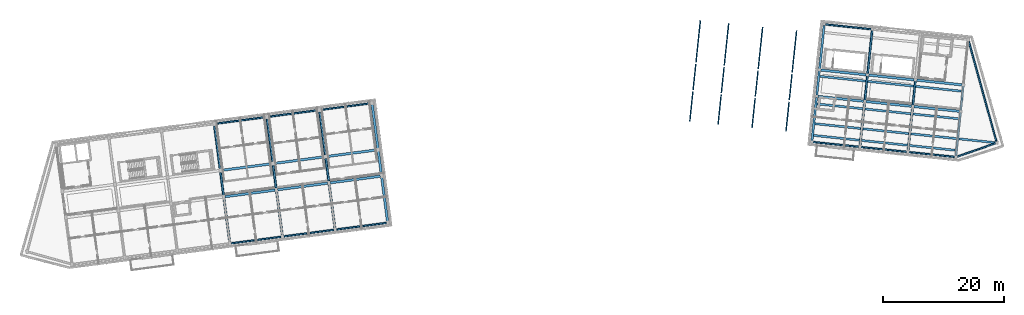
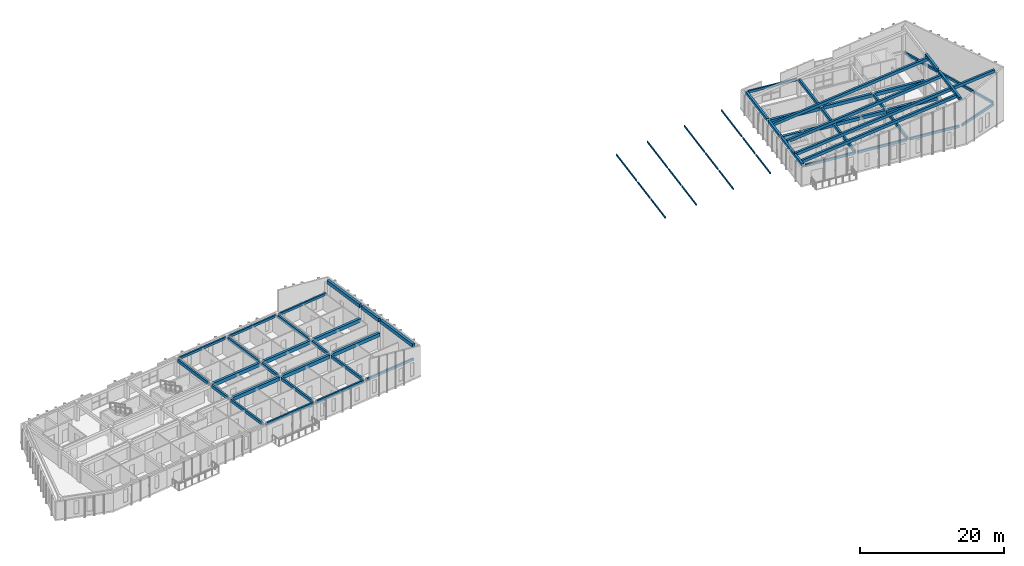
# One storey, part 6 of 31: 50 beams, 12 members.
"""IFC4 building model written with IfcOpenShell, lengths in metres."""

from ifc_helpers import new_model, si_unit, direction, frame, origin, origin_2d, place, context, subcontext, project, spatial, rectangle, hollow_rectangle, extrude, material, material_profile, profile_set, type_object, element, save


model = new_model("IFC4")

# Units and contexts
model_context = context("Model", 3, precision=1e-05, world=origin(), true_north=direction((0.0, 1.0)))
body_context = subcontext(model_context, "Body", "Model", "MODEL_VIEW")
ifc_project = project(units=[si_unit("LENGTHUNIT", "METRE"), si_unit("AREAUNIT", "SQUARE_METRE"), si_unit("VOLUMEUNIT", "CUBIC_METRE"), si_unit("PLANEANGLEUNIT", "RADIAN"), si_unit("MASSUNIT", "GRAM", prefix="KILO")], contexts=[model_context])

# Site, building, storey
site_placement = place(None, origin())
site = spatial("IfcSite", under=ifc_project, at=site_placement, CompositionType="ELEMENT")
building_placement = place(site_placement, origin())
building = spatial("IfcBuilding", under=site, at=building_placement, Name="Kestramere Prow Commons", CompositionType="ELEMENT")
storey_placement = place(building_placement, frame((0.0, 0.0, 37.64990234375)))
storey = spatial("IfcBuildingStorey", under=building, at=storey_placement, Name="L11", CompositionType="ELEMENT", Elevation=37.64990234375)

# Beams
ifc_material_1 = material(Name="Precast concrete C40/50", Category="concrete")
ifc_material_profile_1 = material_profile(ifc_material_1, rectangle(XDim=0.39990234375, YDim=0.60009765625, at=origin_2d()), Name="PC-BM 400x600")
ifc_profile_set_1 = profile_set([ifc_material_profile_1], Name="Precast concrete C40/50")
beam_type_1 = type_object("IfcBeamType", Name="BM-A1 PC-BM 400x600", PredefinedType="BEAM", material=ifc_profile_set_1)
for number, where, z_axis, x_axis, name in (
    (1, (36.5791015625, 83.20849609375, 2.7001953125), (0.991445635283, 0.13052031366, 0.0), (-0.13052031366, 0.991445635283, 0.0), "Block A L11 Longitudinal Beam 2-4"),
    (2, (45.3037109375, 84.357177734375, 2.7001953125), (0.991445635283, 0.13052031366, 0.0), (-0.13052031366, 0.991445635283, 0.0), "Block A L11 Longitudinal Beam 2-5"),
    (3, (54.028564453125, 85.505859375, 2.7001953125), (0.991445635283, 0.13052031366, 0.0), (-0.13052031366, 0.991445635283, 0.0), "Block A L11 Longitudinal Beam 2-6"),
    (4, (36.0048828125, 87.57080078125, 2.7001953125), (0.991441851318, 0.130549053825, 0.0), (-0.130549053825, 0.991441851318, 0.0), "Block A L11 Longitudinal Beam 3-4"),
    (5, (44.7294921875, 88.719482421875, 2.7001953125), (0.991445635283, 0.13052031366, 0.0), (-0.13052031366, 0.991445635283, 0.0), "Block A L11 Longitudinal Beam 3-5"),
    (6, (53.454345703125, 89.8681640625, 2.7001953125), (0.991445635283, 0.13052031366, 0.0), (-0.13052031366, 0.991445635283, 0.0), "Block A L11 Longitudinal Beam 3-6"),
):
    element("IfcBeam", number, at=place(storey_placement, frame(where, z_axis=z_axis, x_axis=x_axis)), inside=storey, type_object=beam_type_1, Name=name, PredefinedType="BEAM", context=body_context, shape_type="SweptSolid", body=[
        extrude(rectangle(XDim=0.39990234375, YDim=0.60009765625, at=origin_2d()), origin(), (0.0, 0.0, 1.0), 8.35009765625),
    ])
ifc_material_profile_2 = material_profile(ifc_material_1, rectangle(XDim=0.39990234375, YDim=0.550048828125, at=origin_2d()), Name="PC-BM 400x550")
ifc_profile_set_2 = profile_set([ifc_material_profile_2], Name="Precast concrete C40/50")
beam_type_2 = type_object("IfcBeamType", Name="BM-B1 PC-BM 400x550", PredefinedType="BEAM", material=ifc_profile_set_2)
beam_1_placement = place(storey_placement, frame((134.88671875, 99.826171875, 2.72509765625), z_axis=(0.994520149735, -0.104545070528, 0.0), x_axis=(0.104545070528, 0.994520149735, 0.0)))
element("IfcBeam", 7, at=beam_1_placement, inside=storey, type_object=beam_type_2, Name="Block B L11 Longitudinal Beam 2-4", PredefinedType="BEAM", context=body_context, shape_type="SweptSolid", body=[
    extrude(rectangle(XDim=0.39990234375, YDim=0.550048828125, at=origin_2d()), origin(), (0.0, 0.0, 1.0), 7.5498046875),
])
beam_2_placement = place(storey_placement, frame((142.8427734375, 98.989990234375, 2.72509765625), z_axis=(0.994520503149, -0.104541708502, 0.0), x_axis=(0.104541708502, 0.994520503149, 0.0)))
element("IfcBeam", 8, at=beam_2_placement, inside=storey, type_object=beam_type_2, Name="Block B L11 Longitudinal Beam 2-5", PredefinedType="BEAM", context=body_context, shape_type="SweptSolid", body=[
    extrude(rectangle(XDim=0.39990234375, YDim=0.550048828125, at=origin_2d()), origin(), (0.0, 0.0, 1.0), 7.550048828125),
])
for number, where, z_axis, x_axis, name in (
    (9, (150.799072265625, 98.15380859375, 2.72509765625), (0.994520149735, -0.104545070528, 0.0), (0.104545070528, 0.994520149735, 0.0), "Block B L11 Longitudinal Beam 2-6"),
    (10, (135.3466796875, 104.2021484375, 2.72509765625), (0.994520149735, -0.104545070528, 0.0), (0.104545070528, 0.994520149735, 0.0), "Block B L11 Longitudinal Beam 3-4"),
):
    element("IfcBeam", number, at=place(storey_placement, frame(where, z_axis=z_axis, x_axis=x_axis)), inside=storey, type_object=beam_type_2, Name=name, PredefinedType="BEAM", context=body_context, shape_type="SweptSolid", body=[
        extrude(rectangle(XDim=0.39990234375, YDim=0.550048828125, at=origin_2d()), origin(), (0.0, 0.0, 1.0), 7.5498046875),
    ])
beam_3_placement = place(storey_placement, frame((143.302734375, 103.36572265625, 2.72509765625), z_axis=(0.994523864565, -0.104509725916, 0.0), x_axis=(0.104509725916, 0.994523864565, 0.0)))
element("IfcBeam", 11, at=beam_3_placement, inside=storey, type_object=beam_type_2, Name="Block B L11 Longitudinal Beam 3-5", PredefinedType="BEAM", context=body_context, shape_type="SweptSolid", body=[
    extrude(rectangle(XDim=0.39990234375, YDim=0.550048828125, at=origin_2d()), origin(), (0.0, 0.0, 1.0), 7.550048828125),
])
beam_4_placement = place(storey_placement, frame((151.259033203125, 102.529541015625, 2.72509765625), z_axis=(0.994523511366, -0.104513086937, 0.0), x_axis=(0.104513086937, 0.994523511366, 0.0)))
element("IfcBeam", 12, at=beam_4_placement, inside=storey, type_object=beam_type_2, Name="Block B L11 Longitudinal Beam 3-6", PredefinedType="BEAM", context=body_context, shape_type="SweptSolid", body=[
    extrude(rectangle(XDim=0.39990234375, YDim=0.550048828125, at=origin_2d()), origin(), (0.0, 0.0, 1.0), 7.5498046875),
])
ifc_material_profile_3 = material_profile(ifc_material_1, rectangle(XDim=0.300048828125, YDim=0.5, at=origin_2d()), Name="PC-BM 300x500")
ifc_profile_set_3 = profile_set([ifc_material_profile_3], Name="Precast concrete C40/50")
beam_type_3 = type_object("IfcBeamType", Name="BM-TIE-01 PC-BM 300x500", PredefinedType="BEAM", material=ifc_profile_set_3)
beam_5_placement = place(storey_placement, frame((37.331787109375, 75.76806640625, 2.75), z_axis=(-0.130537539388, 0.991443367425, 0.0), x_axis=(-0.991443367425, -0.130537539388, 0.0)))
element("IfcBeam", 13, at=beam_5_placement, inside=storey, type_object=beam_type_3, Name="Block A L11 Transverse Beam 4-1", PredefinedType="BEAM", context=body_context, shape_type="SweptSolid", body=[
    extrude(rectangle(XDim=0.300048828125, YDim=0.5, at=origin_2d()), origin(), (0.0, 0.0, 1.0), 7.150146484375),
])
beam_6_placement = place(storey_placement, frame((36.313720703125, 83.50146484375, 2.75), z_axis=(-0.130538720766, 0.991443211879, 0.0), x_axis=(-0.991443211879, -0.130538720766, 0.0)))
element("IfcBeam", 14, at=beam_6_placement, inside=storey, type_object=beam_type_3, Name="Block A L11 Transverse Beam 4-2", PredefinedType="BEAM", context=body_context, shape_type="SweptSolid", body=[
    extrude(rectangle(XDim=0.300048828125, YDim=0.5, at=origin_2d()), origin(), (0.0, 0.0, 1.0), 3.749755859375),
])
for number, where, z_axis, x_axis, name in (
    (15, (35.7392578125, 87.86376953125, 2.75), (-0.130503975686, 0.991447785983, 0.0), (-0.991447785983, -0.130503975686, 0.0), "Block A L11 Transverse Beam 4-3"),
    (16, (46.056396484375, 76.916748046875, 2.75), (-0.130503975686, 0.991447785983, 0.0), (-0.991447785983, -0.130503975686, 0.0), "Block A L11 Transverse Beam 5-1"),
):
    element("IfcBeam", number, at=place(storey_placement, frame(where, z_axis=z_axis, x_axis=x_axis)), inside=storey, type_object=beam_type_3, Name=name, PredefinedType="BEAM", context=body_context, shape_type="SweptSolid", body=[
        extrude(rectangle(XDim=0.300048828125, YDim=0.5, at=origin_2d()), origin(), (0.0, 0.0, 1.0), 7.14990234375),
    ])
beam_7_placement = place(storey_placement, frame((45.038330078125, 84.64990234375, 2.75), z_axis=(-0.130530295097, 0.991444321211, 0.0), x_axis=(-0.991444321211, -0.130530295097, 0.0)))
element("IfcBeam", 17, at=beam_7_placement, inside=storey, type_object=beam_type_3, Name="Block A L11 Transverse Beam 5-2", PredefinedType="BEAM", context=body_context, shape_type="SweptSolid", body=[
    extrude(rectangle(XDim=0.300048828125, YDim=0.5, at=origin_2d()), origin(), (0.0, 0.0, 1.0), 3.75),
])
for number, where, z_axis, x_axis, name in (
    (18, (44.464111328125, 89.012451171875, 2.75), (-0.130537539388, 0.991443367425, 0.0), (-0.991443367425, -0.130537539388, 0.0), "Block A L11 Transverse Beam 5-3"),
    (19, (54.78125, 78.0654296875, 2.75), (-0.130537539388, 0.991443367425, 0.0), (-0.991443367425, -0.130537539388, 0.0), "Block A L11 Transverse Beam 6-1"),
):
    element("IfcBeam", number, at=place(storey_placement, frame(where, z_axis=z_axis, x_axis=x_axis)), inside=storey, type_object=beam_type_3, Name=name, PredefinedType="BEAM", context=body_context, shape_type="SweptSolid", body=[
        extrude(rectangle(XDim=0.300048828125, YDim=0.5, at=origin_2d()), origin(), (0.0, 0.0, 1.0), 7.150146484375),
    ])
beam_8_placement = place(storey_placement, frame((53.762939453125, 85.798583984375, 2.75), z_axis=(-0.130466301114, 0.991452744347, 0.0), x_axis=(-0.991452744347, -0.130466301114, 0.0)))
element("IfcBeam", 20, at=beam_8_placement, inside=storey, type_object=beam_type_3, Name="Block A L11 Transverse Beam 6-2", PredefinedType="BEAM", context=body_context, shape_type="SweptSolid", body=[
    extrude(rectangle(XDim=0.300048828125, YDim=0.5, at=origin_2d()), origin(), (0.0, 0.0, 1.0), 3.75),
])
for number, where, z_axis, x_axis, name in (
    (21, (53.188720703125, 90.160888671875, 2.75), (-0.130537539388, 0.991443367425, 0.0), (-0.991443367425, -0.130537539388, 0.0), "Block A L11 Transverse Beam 6-3"),
    (22, (141.84814453125, 91.678955078125, 2.75), (0.104553253602, 0.994519289487, 0.0), (-0.994519289487, 0.104553253602, 0.0), "Block B L11 Transverse Beam 5-1"),
):
    element("IfcBeam", number, at=place(storey_placement, frame(where, z_axis=z_axis, x_axis=x_axis)), inside=storey, type_object=beam_type_3, Name=name, PredefinedType="BEAM", context=body_context, shape_type="SweptSolid", body=[
        extrude(rectangle(XDim=0.300048828125, YDim=0.5, at=origin_2d()), origin(), (0.0, 0.0, 1.0), 7.150146484375),
    ])
beam_9_placement = place(storey_placement, frame((142.642578125, 99.2373046875, 2.75), z_axis=(0.104520690275, 0.994522712312, 0.0), x_axis=(-0.994522712312, 0.104520690275, 0.0)))
element("IfcBeam", 23, at=beam_9_placement, inside=storey, type_object=beam_type_3, Name="Block B L11 Transverse Beam 5-2", PredefinedType="BEAM", context=body_context, shape_type="SweptSolid", body=[
    extrude(rectangle(XDim=0.300048828125, YDim=0.5, at=origin_2d()), origin(), (0.0, 0.0, 1.0), 3.949951171875),
])
for number, where, z_axis, x_axis, name in (
    (24, (143.1025390625, 103.613037109375, 2.75), (0.104519481265, 0.994522839374, 0.0), (-0.994522839374, 0.104519481265, 0.0), "Block B L11 Transverse Beam 5-3"),
    (25, (149.804443359375, 90.842529296875, 2.75), (0.104519481265, 0.994522839374, 0.0), (-0.994522839374, 0.104519481265, 0.0), "Block B L11 Transverse Beam 6-1"),
):
    element("IfcBeam", number, at=place(storey_placement, frame(where, z_axis=z_axis, x_axis=x_axis)), inside=storey, type_object=beam_type_3, Name=name, PredefinedType="BEAM", context=body_context, shape_type="SweptSolid", body=[
        extrude(rectangle(XDim=0.300048828125, YDim=0.5, at=origin_2d()), origin(), (0.0, 0.0, 1.0), 7.14990234375),
    ])
beam_10_placement = place(storey_placement, frame((150.598876953125, 98.40087890625, 2.75), z_axis=(0.10451426563, 0.994523387498, 0.0), x_axis=(-0.994523387498, 0.10451426563, 0.0)))
element("IfcBeam", 26, at=beam_10_placement, inside=storey, type_object=beam_type_3, Name="Block B L11 Transverse Beam 6-2", PredefinedType="BEAM", context=body_context, shape_type="SweptSolid", body=[
    extrude(rectangle(XDim=0.300048828125, YDim=0.5, at=origin_2d()), origin(), (0.0, 0.0, 1.0), 3.9501953125),
])

# Members
ifc_material_2 = material(Name="Steel S355JR", Category="steel")
ifc_material_profile_4 = material_profile(ifc_material_2, hollow_rectangle(XDim=0.14990234375, YDim=0.25, WallThickness=0.010009765625, at=origin_2d()), Name="RHS 250x150x10")
ifc_profile_set_4 = profile_set([ifc_material_profile_4], Name="Steel S355JR")
member_type = type_object("IfcMemberType", Name="PUR-01 RHS 250x150x10", PredefinedType="PURLIN", material=ifc_profile_set_4)
member_1_placement = place(storey_placement, frame((129.57177734375, 94.02490234375, 1.972900390625), z_axis=(0.104529170905, 0.994521820992, 0.0), x_axis=(-0.994521820992, 0.104529170905, 0.0)))
element("IfcMember", 27, at=member_1_placement, inside=storey, type_object=member_type, Name="Block B Prow Roof Purlin 1-1", PredefinedType="PURLIN", context=body_context, shape_type="SweptSolid", body=[
    extrude(hollow_rectangle(XDim=0.14990234375, YDim=0.25, WallThickness=0.010009765625, at=origin_2d()), origin(), (0.0, 0.0, 1.0), 4.900146484375),
])
member_2_placement = place(storey_placement, frame((130.12060546875, 99.24609375, 1.972900390625), z_axis=(0.104547233792, 0.994519922328, 0.0), x_axis=(-0.994519922328, 0.104547233792, 0.0)))
element("IfcMember", 28, at=member_2_placement, inside=storey, type_object=member_type, Name="Block B Prow Roof Purlin 1-2", PredefinedType="PURLIN", context=body_context, shape_type="SweptSolid", body=[
    extrude(hollow_rectangle(XDim=0.14990234375, YDim=0.25, WallThickness=0.010009765625, at=origin_2d()), origin(), (0.0, 0.0, 1.0), 4.25),
])
member_3_placement = place(storey_placement, frame((130.601318359375, 103.821044921875, 1.972900390625), z_axis=(0.104542152467, 0.99452045648, 0.0), x_axis=(-0.99452045648, 0.104542152467, 0.0)))
element("IfcMember", 29, at=member_3_placement, inside=storey, type_object=member_type, Name="Block B Prow Roof Purlin 1-3", PredefinedType="PURLIN", context=body_context, shape_type="SweptSolid", body=[
    extrude(hollow_rectangle(XDim=0.14990234375, YDim=0.25, WallThickness=0.010009765625, at=origin_2d()), origin(), (0.0, 0.0, 1.0), 6.949951171875),
])
member_4_placement = place(storey_placement, frame((123.943603515625, 94.616455078125, 0.92333984375), z_axis=(0.104529170905, 0.994521820992, 0.0), x_axis=(-0.994521820992, 0.104529170905, 0.0)))
element("IfcMember", 30, at=member_4_placement, inside=storey, type_object=member_type, Name="Block B Prow Roof Purlin 2-1", PredefinedType="PURLIN", context=body_context, shape_type="SweptSolid", body=[
    extrude(hollow_rectangle(XDim=0.14990234375, YDim=0.25, WallThickness=0.010009765625, at=origin_2d()), origin(), (0.0, 0.0, 1.0), 4.900146484375),
])
member_5_placement = place(storey_placement, frame((124.492431640625, 99.837646484375, 0.92333984375), z_axis=(0.10449041761, 0.994525893392, 0.0), x_axis=(-0.994525893392, 0.10449041761, 0.0)))
element("IfcMember", 31, at=member_5_placement, inside=storey, type_object=member_type, Name="Block B Prow Roof Purlin 2-2", PredefinedType="PURLIN", context=body_context, shape_type="SweptSolid", body=[
    extrude(hollow_rectangle(XDim=0.14990234375, YDim=0.25, WallThickness=0.010009765625, at=origin_2d()), origin(), (0.0, 0.0, 1.0), 4.25),
])
member_6_placement = place(storey_placement, frame((124.97314453125, 104.41259765625, 0.92333984375), z_axis=(0.104542152467, 0.99452045648, 0.0), x_axis=(-0.99452045648, 0.104542152467, 0.0)))
element("IfcMember", 32, at=member_6_placement, inside=storey, type_object=member_type, Name="Block B Prow Roof Purlin 2-3", PredefinedType="PURLIN", context=body_context, shape_type="SweptSolid", body=[
    extrude(hollow_rectangle(XDim=0.14990234375, YDim=0.25, WallThickness=0.010009765625, at=origin_2d()), origin(), (0.0, 0.0, 1.0), 6.949951171875),
])
member_7_placement = place(storey_placement, frame((118.3154296875, 95.2080078125, -0.126220703125), z_axis=(0.104529170905, 0.994521820992, 0.0), x_axis=(-0.994521820992, 0.104529170905, 0.0)))
element("IfcMember", 33, at=member_7_placement, inside=storey, type_object=member_type, Name="Block B Prow Roof Purlin 3-1", PredefinedType="PURLIN", context=body_context, shape_type="SweptSolid", body=[
    extrude(hollow_rectangle(XDim=0.14990234375, YDim=0.25, WallThickness=0.010009765625, at=origin_2d()), origin(), (0.0, 0.0, 1.0), 4.900146484375),
])
member_8_placement = place(storey_placement, frame((118.8642578125, 100.42919921875, -0.126220703125), z_axis=(0.10449041761, 0.994525893392, 0.0), x_axis=(-0.994525893392, 0.10449041761, 0.0)))
element("IfcMember", 34, at=member_8_placement, inside=storey, type_object=member_type, Name="Block B Prow Roof Purlin 3-2", PredefinedType="PURLIN", context=body_context, shape_type="SweptSolid", body=[
    extrude(hollow_rectangle(XDim=0.14990234375, YDim=0.25, WallThickness=0.010009765625, at=origin_2d()), origin(), (0.0, 0.0, 1.0), 4.25),
])
member_9_placement = place(storey_placement, frame((119.344970703125, 105.004150390625, -0.126220703125), z_axis=(0.104542152467, 0.99452045648, 0.0), x_axis=(-0.99452045648, 0.104542152467, 0.0)))
element("IfcMember", 35, at=member_9_placement, inside=storey, type_object=member_type, Name="Block B Prow Roof Purlin 3-3", PredefinedType="PURLIN", context=body_context, shape_type="SweptSolid", body=[
    extrude(hollow_rectangle(XDim=0.14990234375, YDim=0.25, WallThickness=0.010009765625, at=origin_2d()), origin(), (0.0, 0.0, 1.0), 6.949951171875),
])
member_10_placement = place(storey_placement, frame((113.625244140625, 95.700927734375, -1.000732421875), z_axis=(0.104529170905, 0.994521820992, 0.0), x_axis=(-0.994521820992, 0.104529170905, 0.0)))
element("IfcMember", 36, at=member_10_placement, inside=storey, type_object=member_type, Name="Block B Prow Roof Purlin 4-1", PredefinedType="PURLIN", context=body_context, shape_type="SweptSolid", body=[
    extrude(hollow_rectangle(XDim=0.14990234375, YDim=0.25, WallThickness=0.010009765625, at=origin_2d()), origin(), (0.0, 0.0, 1.0), 4.900146484375),
])
member_11_placement = place(storey_placement, frame((114.174072265625, 100.922119140625, -1.000732421875), z_axis=(0.10449041761, 0.994525893392, 0.0), x_axis=(-0.994525893392, 0.10449041761, 0.0)))
element("IfcMember", 37, at=member_11_placement, inside=storey, type_object=member_type, Name="Block B Prow Roof Purlin 4-2", PredefinedType="PURLIN", context=body_context, shape_type="SweptSolid", body=[
    extrude(hollow_rectangle(XDim=0.14990234375, YDim=0.25, WallThickness=0.010009765625, at=origin_2d()), origin(), (0.0, 0.0, 1.0), 4.25),
])
member_12_placement = place(storey_placement, frame((114.65478515625, 105.4970703125, -1.000732421875), z_axis=(0.104542152467, 0.99452045648, 0.0), x_axis=(-0.99452045648, 0.104542152467, 0.0)))
element("IfcMember", 38, at=member_12_placement, inside=storey, type_object=member_type, Name="Block B Prow Roof Purlin 4-3", PredefinedType="PURLIN", context=body_context, shape_type="SweptSolid", body=[
    extrude(hollow_rectangle(XDim=0.14990234375, YDim=0.25, WallThickness=0.010009765625, at=origin_2d()), origin(), (0.0, 0.0, 1.0), 6.949951171875),
])

# Beams
ifc_material_profile_5 = material_profile(ifc_material_1, rectangle(XDim=0.39990234375, YDim=0.60009765625, at=origin_2d()), Name="PC-RB 400x600")
ifc_profile_set_5 = profile_set([ifc_material_profile_5], Name="Precast concrete C40/50")
beam_type_4 = type_object("IfcBeamType", Name="RB-PR-01 PC-RB 400x600", PredefinedType="BEAM", material=ifc_profile_set_5)
beam_11_placement = place(storey_placement, frame((63.52490234375, 79.0703125, 4.886962890625), z_axis=(-0.130538549191, 0.991443234469, 0.0), x_axis=(-0.991443234469, -0.130538549191, 0.0)))
element("IfcBeam", 39, at=beam_11_placement, inside=storey, type_object=beam_type_4, Name="Block A Prow Eave Transverse Girder 1", PredefinedType="BEAM", context=body_context, shape_type="SweptSolid", body=[
    extrude(rectangle(XDim=0.39990234375, YDim=0.60009765625, at=origin_2d()), origin(), (0.0, 0.0, 1.0), 7.43994140625),
])
beam_12_placement = place(storey_placement, frame((62.506591796875, 86.803466796875, 4.886962890625), z_axis=(-0.130532674459, 0.991444007949, 0.0), x_axis=(-0.991444007949, -0.130532674459, 0.0)))
element("IfcBeam", 40, at=beam_12_placement, inside=storey, type_object=beam_type_4, Name="Block A Prow Eave Transverse Girder 2", PredefinedType="BEAM", context=body_context, shape_type="SweptSolid", body=[
    extrude(rectangle(XDim=0.39990234375, YDim=0.60009765625, at=origin_2d()), origin(), (0.0, 0.0, 1.0), 4.0400390625),
])
beam_13_placement = place(storey_placement, frame((61.932373046875, 91.165771484375, 4.886962890625), z_axis=(-0.130534302344, 0.991443793622, 0.0), x_axis=(-0.991443793622, -0.130534302344, 0.0)))
element("IfcBeam", 41, at=beam_13_placement, inside=storey, type_object=beam_type_4, Name="Block A Prow Eave Transverse Girder 3", PredefinedType="BEAM", context=body_context, shape_type="SweptSolid", body=[
    extrude(rectangle(XDim=0.39990234375, YDim=0.60009765625, at=origin_2d()), origin(), (0.0, 0.0, 1.0), 7.440185546875),
])
ifc_material_profile_6 = material_profile(ifc_material_1, rectangle(XDim=0.35009765625, YDim=0.5, at=origin_2d()), Name="PC-RB 350x500")
ifc_profile_set_6 = profile_set([ifc_material_profile_6], Name="Precast concrete C40/50")
beam_type_5 = type_object("IfcBeamType", Name="RB-PR-02 PC-RB 350x500", PredefinedType="BEAM", material=ifc_profile_set_6)
beam_14_placement = place(storey_placement, frame((157.755859375, 89.961669921875, 7.273193359375), z_axis=(0.104537331683, 0.99452096322, 0.0), x_axis=(-0.99452096322, 0.104537331683, 0.0)))
element("IfcBeam", 42, at=beam_14_placement, inside=storey, type_object=beam_type_5, Name="Block B Prow Peak Transverse Girder 1", PredefinedType="BEAM", context=body_context, shape_type="SweptSolid", body=[
    extrude(rectangle(XDim=0.35009765625, YDim=0.5, at=origin_2d()), origin(), (0.0, 0.0, 1.0), 7.23974609375),
])
beam_15_placement = place(storey_placement, frame((133.887451171875, 92.47021484375, 2.820068359375), z_axis=(0.104500473646, 0.994524836798, 0.0), x_axis=(-0.994524836798, 0.104500473646, 0.0)))
element("IfcBeam", 43, at=beam_15_placement, inside=storey, type_object=beam_type_5, Name="Block B Prow Mid-Slope Transverse Girder 1", PredefinedType="BEAM", context=body_context, shape_type="SweptSolid", body=[
    extrude(rectangle(XDim=0.35009765625, YDim=0.5, at=origin_2d()), origin(), (0.0, 0.0, 1.0), 7.239990234375),
])
for number, where, z_axis, x_axis, name in (
    (44, (158.55029296875, 97.52001953125, 7.273193359375), (0.104546370699, 0.994520013058, 0.0), (-0.994520013058, 0.104546370699, 0.0), "Block B Prow Peak Transverse Girder 2"),
    (45, (134.681640625, 100.02880859375, 2.820068359375), (0.104546370699, 0.994520013058, 0.0), (-0.994520013058, 0.104546370699, 0.0), "Block B Prow Mid-Slope Transverse Girder 2"),
):
    element("IfcBeam", number, at=place(storey_placement, frame(where, z_axis=z_axis, x_axis=x_axis)), inside=storey, type_object=beam_type_5, Name=name, PredefinedType="BEAM", context=body_context, shape_type="SweptSolid", body=[
        extrude(rectangle(XDim=0.35009765625, YDim=0.5, at=origin_2d()), origin(), (0.0, 0.0, 1.0), 4.0400390625),
    ])
beam_16_placement = place(storey_placement, frame((135.1416015625, 104.404541015625, 2.820068359375), z_axis=(0.104533825935, 0.994521331715, 0.0), x_axis=(-0.994521331715, 0.104533825935, 0.0)))
element("IfcBeam", 46, at=beam_16_placement, inside=storey, type_object=beam_type_5, Name="Block B Prow Mid-Slope Transverse Girder 3", PredefinedType="BEAM", context=body_context, shape_type="SweptSolid", body=[
    extrude(rectangle(XDim=0.35009765625, YDim=0.5, at=origin_2d()), origin(), (0.0, 0.0, 1.0), 7.239990234375),
])
for number, where, z_axis, x_axis, name in (
    (47, (157.64306640625, 90.8984375, 7.273193359375), (-0.977247267861, 0.102716059886, -0.185572596308), (-0.1045317176, -0.994521553319, 0.0), "Block B Upper Prow Raking Rafter 1"),
    (48, (158.19189453125, 96.119873046875, 7.273193359375), (-0.977248289061, 0.102705993275, -0.185572790227), (-0.104521476942, -0.994522629636, 0.0), "Block B Upper Prow Raking Rafter 2"),
):
    element("IfcBeam", number, at=place(storey_placement, frame(where, z_axis=z_axis, x_axis=x_axis)), inside=storey, type_object=beam_type_5, Name=name, PredefinedType="BEAM", context=body_context, shape_type="SweptSolid", body=[
        extrude(rectangle(XDim=0.35009765625, YDim=0.5, at=origin_2d()), origin(), (0.0, 0.0, 1.0), 23.99658203125),
    ])
beam_17_placement = place(storey_placement, frame((158.6728515625, 100.694580078125, 7.273193359375), z_axis=(-0.977247725557, 0.102715038647, -0.185570751279), x_axis=(-0.104530641242, -0.994521666452, 0.0)))
element("IfcBeam", 49, at=beam_17_placement, inside=storey, type_object=beam_type_5, Name="Block B Upper Prow Raking Rafter 3", PredefinedType="BEAM", context=body_context, shape_type="SweptSolid", body=[
    extrude(rectangle(XDim=0.35009765625, YDim=0.5, at=origin_2d()), origin(), (0.0, 0.0, 1.0), 23.996826171875),
])
beam_18_placement = place(storey_placement, frame((134.187255859375, 95.32470703125, 2.820068359375), z_axis=(0.978231157485, -0.102819618538, 0.180255176262), x_axis=(0.10453186283, 0.994521538054, 0.0)))
element("IfcBeam", 50, at=beam_18_placement, inside=storey, type_object=beam_type_5, Name="Block B Prow Nose Ridge Rafter", PredefinedType="BEAM", context=body_context, shape_type="SweptSolid", body=[
    extrude(rectangle(XDim=0.35009765625, YDim=0.5, at=origin_2d()), origin(), (0.0, 0.0, 1.0), 31.008056640625),
])
ifc_material_profile_7 = material_profile(ifc_material_1, rectangle(XDim=0.25, YDim=0.39990234375, at=origin_2d()), Name="PC-SP 250x400")
ifc_profile_set_7 = profile_set([ifc_material_profile_7], Name="Precast concrete C40/50")
beam_type_6 = type_object("IfcBeamType", Name="SP-EXT-01 PC-SP 250x400", PredefinedType="SPANDREL", material=ifc_profile_set_7)
for number, where, z_axis, x_axis, name in (
    (51, (37.59716796875, 75.475341796875, 2.800048828125), (0.991445635283, 0.13052031366, 0.0), (-0.13052031366, 0.991445635283, 0.0), "Block A L11 Longitudinal Beam 1-4"),
    (52, (46.322021484375, 76.623779296875, 2.800048828125), (0.991441851318, 0.130549053825, 0.0), (-0.130549053825, 0.991441851318, 0.0), "Block A L11 Longitudinal Beam 1-5"),
    (53, (55.046630859375, 77.7724609375, 2.800048828125), (0.991445635283, 0.13052031366, 0.0), (-0.13052031366, 0.991445635283, 0.0), "Block A L11 Longitudinal Beam 1-6"),
    (54, (34.98681640625, 95.30419921875, 2.800048828125), (0.991445635283, 0.13052031366, 0.0), (-0.13052031366, 0.991445635283, 0.0), "Block A L11 Longitudinal Beam 4-4"),
    (55, (43.71142578125, 96.452880859375, 2.800048828125), (0.991445635283, 0.13052031366, 0.0), (-0.13052031366, 0.991445635283, 0.0), "Block A L11 Longitudinal Beam 4-5"),
    (56, (52.43603515625, 97.601318359375, 2.800048828125), (0.991441851318, 0.130549053825, 0.0), (-0.130549053825, 0.991441851318, 0.0), "Block A L11 Longitudinal Beam 4-6"),
):
    element("IfcBeam", number, at=place(storey_placement, frame(where, z_axis=z_axis, x_axis=x_axis)), inside=storey, type_object=beam_type_6, Name=name, PredefinedType="SPANDREL", context=body_context, shape_type="SweptSolid", body=[
        extrude(rectangle(XDim=0.25, YDim=0.39990234375, at=origin_2d()), origin(), (0.0, 0.0, 1.0), 8.35009765625),
    ])
beam_19_placement = place(storey_placement, frame((158.00146484375, 89.87451171875, 2.800048828125), z_axis=(0.944739829863, 0.327821069901, 0.0), x_axis=(-0.327821069901, 0.944739829863, 0.0)))
element("IfcBeam", 57, at=beam_19_placement, inside=storey, type_object=beam_type_6, Name="Block B L11 Prow Facet Beam S", PredefinedType="SPANDREL", context=body_context, shape_type="SweptSolid", body=[
    extrude(rectangle(XDim=0.25, YDim=0.39990234375, at=origin_2d()), origin(), (0.0, 0.0, 1.0), 6.619873046875),
])
beam_20_placement = place(storey_placement, frame((159.8603515625, 109.00537109375, 2.800048828125), z_axis=(0.266276973363, -0.963896557446, 0.0), x_axis=(0.963896557446, 0.266276973363, 0.0)))
element("IfcBeam", 58, at=beam_20_placement, inside=storey, type_object=beam_type_6, Name="Block B L11 Prow Facet Beam N", PredefinedType="SPANDREL", context=body_context, shape_type="SweptSolid", body=[
    extrude(rectangle(XDim=0.25, YDim=0.39990234375, at=origin_2d()), origin(), (0.0, 0.0, 1.0), 17.220703125),
])
for number, where, z_axis, x_axis, name in (
    (59, (134.09228515625, 92.267822265625, 2.800048828125), (0.994520149735, -0.104545070528, 0.0), (0.104545070528, 0.994520149735, 0.0), "Block B L11 Longitudinal Beam 1-4"),
    (60, (142.048583984375, 91.431640625, 2.800048828125), (0.994520149735, -0.104545070528, 0.0), (0.104545070528, 0.994520149735, 0.0), "Block B L11 Longitudinal Beam 1-5"),
    (61, (150.004638671875, 90.595458984375, 2.800048828125), (0.994520149735, -0.104545070528, 0.0), (0.104545070528, 0.994520149735, 0.0), "Block B L11 Longitudinal Beam 1-6"),
    (62, (136.14111328125, 111.760498046875, 2.800048828125), (0.994520149735, -0.104545070528, 0.0), (0.104545070528, 0.994520149735, 0.0), "Block B L11 Longitudinal Beam 4-4"),
):
    element("IfcBeam", number, at=place(storey_placement, frame(where, z_axis=z_axis, x_axis=x_axis)), inside=storey, type_object=beam_type_6, Name=name, PredefinedType="SPANDREL", context=body_context, shape_type="SweptSolid", body=[
        extrude(rectangle(XDim=0.25, YDim=0.39990234375, at=origin_2d()), origin(), (0.0, 0.0, 1.0), 7.5498046875),
    ])

save(model, "model.ifc")
